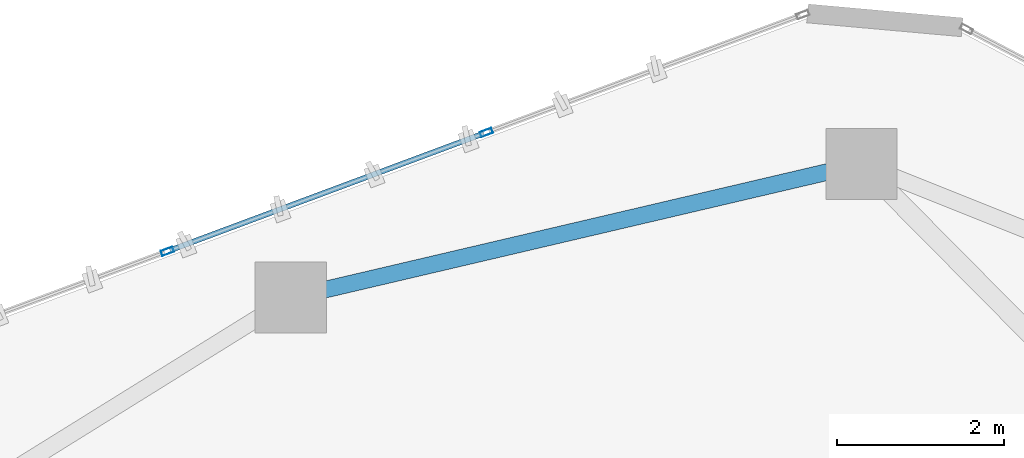
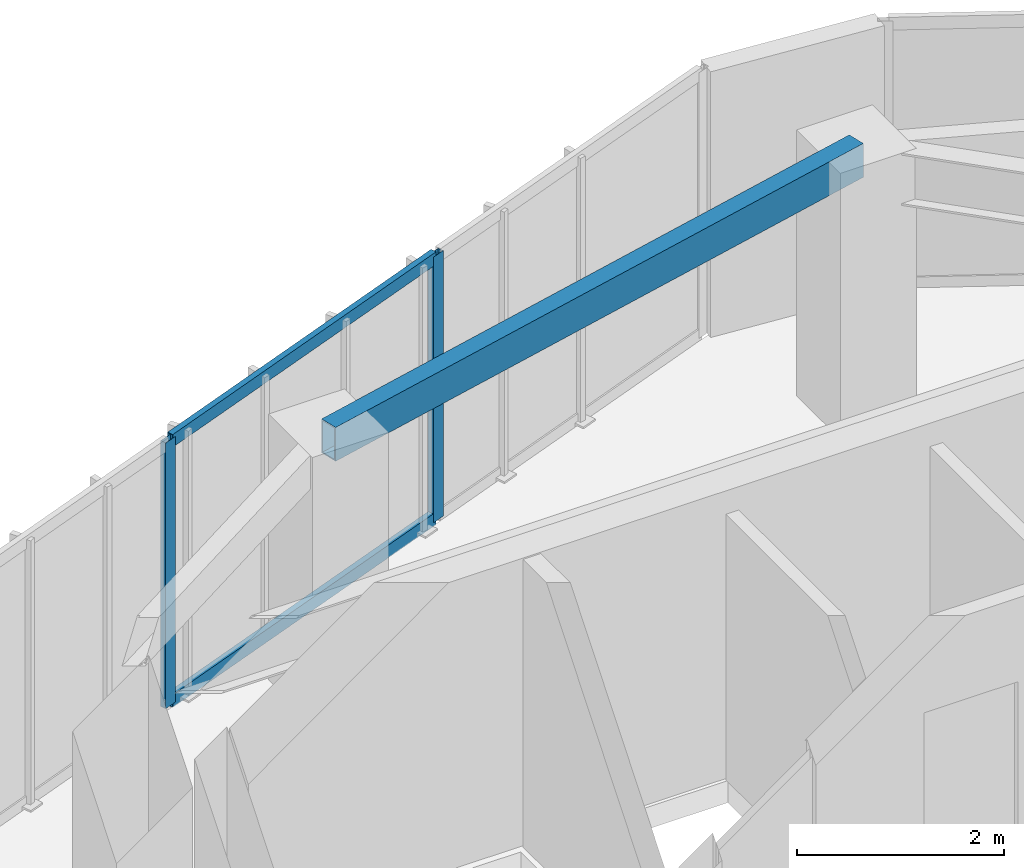
# One storey, part 11 of 20: 4 members, 1 beam, 1 element without a shape of its own.
"""IFC4 building model written with IfcOpenShell, lengths in metres."""

import ifcopenshell
import ifcopenshell.guid

model = None  # the IFC model being written
_history = None  # IfcOwnerHistory: only IFC2X3 demands one
_inside = {}  # id of a spatial element -> (the spatial element, [elements in it])
_under = {}  # id of a project, library or spatial element -> (it, [spatial elements below it])
_declared = {}  # id of a project -> (the project, [libraries it declares])
_typed = {}  # id of a type object -> (the type object, [elements of that type])
_made_of = {}  # id of a material, layer set ... -> (it, [elements and type objects made of it])


def new_model(schema):
    """Start an empty IFC model of exactly this schema.

    Asked for "IFC4X3", IfcOpenShell would pick the latest addendum, in which some entities
    have other attributes; the version numbers below select the first issue.
    IFC2X3 requires an IfcOwnerHistory on every rooted entity: one is made here for all.
    """
    global model, _history
    if schema == "IFC4X3":
        model = ifcopenshell.file(schema_version=(4, 3, 0, 0))
    else:
        model = ifcopenshell.file(schema=schema)
    _inside.clear()
    _under.clear()
    _declared.clear()
    _typed.clear()
    _made_of.clear()
    _history = None
    if model.schema == "IFC2X3":
        org = make("IfcOrganization", Name="unknown")
        user = make(
            "IfcPersonAndOrganization",
            ThePerson=make("IfcPerson", FamilyName="unknown"),
            TheOrganization=org,
        )
        app = make(
            "IfcApplication",
            ApplicationDeveloper=org,
            Version="unknown",
            ApplicationFullName="unknown",
            ApplicationIdentifier="unknown",
        )
        _history = make(
            "IfcOwnerHistory",
            OwningUser=user,
            OwningApplication=app,
            ChangeAction="ADDED",
            CreationDate=0,
        )
    return model


def make(cls, **values):
    """One entity of the class cls with the attributes given. An attribute that is None is left unset."""
    return model.create_entity(
        cls, **{name: value for name, value in values.items() if value is not None}
    )


def rooted(cls, **values):
    """An entity with a GlobalId (a new one), such as an element, a storey or a relation."""
    return make(cls, GlobalId=ifcopenshell.guid.new(), OwnerHistory=_history, **values)


def si_unit(unit_type, name, prefix=None):
    """IfcSIUnit, for example si_unit("LENGTHUNIT", "METRE", prefix="MILLI")."""
    return make("IfcSIUnit", UnitType=unit_type, Prefix=prefix, Name=name)


def assignment(units):
    """IfcUnitAssignment: the units of a project."""
    return None if units is None else make("IfcUnitAssignment", Units=units)


def point(xyz):
    """IfcCartesianPoint."""
    return None if xyz is None else make("IfcCartesianPoint", Coordinates=xyz)


def direction(xyz):
    """IfcDirection."""
    return None if xyz is None else make("IfcDirection", DirectionRatios=xyz)


def frame(location, z_axis=None, x_axis=None):
    """IfcAxis2Placement3D, a coordinate frame: its origin and axes. An axis left out is left unset."""
    return make(
        "IfcAxis2Placement3D",
        Location=point(location),
        Axis=direction(z_axis),
        RefDirection=direction(x_axis),
    )


def frame_2d(location, x_axis=None):
    """IfcAxis2Placement2D, a coordinate frame in the plane: its origin and x axis."""
    return make(
        "IfcAxis2Placement2D", Location=point(location), RefDirection=direction(x_axis)
    )


def origin():
    """The frame at (0, 0, 0) with its axes left unset."""
    return frame((0.0, 0.0, 0.0))


def origin_2d():
    """The frame at (0, 0) in the plane with its x axis left unset."""
    return frame_2d((0.0, 0.0))


def place(relative_to, where):
    """IfcLocalPlacement: puts the frame where relative to a parent placement (None: the world)."""
    return make(
        "IfcLocalPlacement", PlacementRelTo=relative_to, RelativePlacement=where
    )


def context(
    kind, dimensions, precision=None, world=None, true_north=None, identifier=None
):
    """IfcGeometricRepresentationContext, for example the 3D "Model" context."""
    return make(
        "IfcGeometricRepresentationContext",
        ContextIdentifier=identifier,
        ContextType=kind,
        CoordinateSpaceDimension=dimensions,
        Precision=precision,
        WorldCoordinateSystem=world,
        TrueNorth=true_north,
    )


def subcontext(parent, identifier, kind, view, scale=None):
    """IfcGeometricRepresentationSubContext, for example "Body" below "Model"."""
    return make(
        "IfcGeometricRepresentationSubContext",
        ContextIdentifier=identifier,
        ContextType=kind,
        ParentContext=parent,
        TargetScale=scale,
        TargetView=view,
    )


def project(units=None, contexts=None):
    """IfcProject with its units and contexts."""
    return rooted(
        "IfcProject",
        Name="project",
        RepresentationContexts=contexts,
        UnitsInContext=assignment(units),
    )


def spatial(cls, under=None, at=None, **own):
    """A site, building, storey or space (cls), placed at a placement, below another one or the project."""
    s = rooted(cls, ObjectPlacement=at, **own)
    if under is not None:
        _under.setdefault(under.id(), (under, []))[1].append(s)
    return s


def profile(cls, at=None, kind="AREA", **sizes):
    """A parametric profile (cls). Its sizes go by their IFC names, for example OverallWidth=200.0."""
    return make(cls, ProfileType=kind, Position=at, **sizes)


def hollow_rectangle(**sizes):
    """IfcRectangleHollowProfileDef."""
    return profile("IfcRectangleHollowProfileDef", **sizes)


def extrude(swept, where, along, depth):
    """IfcExtrudedAreaSolid: the profile swept, set in the frame where, extruded along a direction by depth."""
    return make(
        "IfcExtrudedAreaSolid",
        SweptArea=swept,
        Position=where,
        ExtrudedDirection=direction(along),
        Depth=depth,
    )


def shape(context_of_items, identifier, shape_type, items):
    """IfcShapeRepresentation: the items that make up one representation, for example the "Body"."""
    return make(
        "IfcShapeRepresentation",
        ContextOfItems=context_of_items,
        RepresentationIdentifier=identifier,
        RepresentationType=shape_type,
        Items=items,
    )


def source(mapping_origin, context_of_items, identifier, shape_type, items):
    """IfcRepresentationMap: a shape defined once, which mapped items show again and again."""
    return make(
        "IfcRepresentationMap",
        MappingOrigin=mapping_origin,
        MappedRepresentation=shape(context_of_items, identifier, shape_type, items),
    )


def transform(
    local_origin,
    x_axis=None,
    y_axis=None,
    z_axis=None,
    scale=None,
    scale2=None,
    scale3=None,
    uniform=True,
):
    """IfcCartesianTransformationOperator3D, or its non-uniform kind. x_axis, y_axis, z_axis: its Axis1, 2, 3."""
    if uniform:
        return make(
            "IfcCartesianTransformationOperator3D",
            Axis1=direction(x_axis),
            Axis2=direction(y_axis),
            LocalOrigin=point(local_origin),
            Scale=scale,
            Axis3=direction(z_axis),
        )
    return make(
        "IfcCartesianTransformationOperator3DnonUniform",
        Axis1=direction(x_axis),
        Axis2=direction(y_axis),
        LocalOrigin=point(local_origin),
        Scale=scale,
        Axis3=direction(z_axis),
        Scale2=scale2,
        Scale3=scale3,
    )


def mapped(mapping_source, mapping_target):
    """IfcMappedItem: shows the shape of a source again, moved by a transform."""
    return make(
        "IfcMappedItem", MappingSource=mapping_source, MappingTarget=mapping_target
    )


def material(Name=None, Category=None):
    """IfcMaterial."""
    return make("IfcMaterial", Name=Name, Category=Category)


def layer(
    of_material, thickness, ventilated=None, Name=None, Category=None, Priority=None
):
    """IfcMaterialLayer: one layer of a wall or slab, of a material (None: an air gap)."""
    return make(
        "IfcMaterialLayer",
        Material=of_material,
        LayerThickness=thickness,
        IsVentilated=ventilated,
        Name=Name,
        Category=Category,
        Priority=Priority,
    )


def layer_set(layers, Name=None):
    """IfcMaterialLayerSet."""
    return make("IfcMaterialLayerSet", MaterialLayers=layers, LayerSetName=Name)


def material_profile(
    of_material, cross_section, Name=None, Category=None, Priority=None
):
    """IfcMaterialProfile: a cross section and its material."""
    return make(
        "IfcMaterialProfile",
        Name=Name,
        Material=of_material,
        Profile=cross_section,
        Priority=Priority,
        Category=Category,
    )


def profile_set(profiles, Name=None, composite=None):
    """IfcMaterialProfileSet."""
    return make(
        "IfcMaterialProfileSet",
        Name=Name,
        MaterialProfiles=profiles,
        CompositeProfile=composite,
    )


def made_of(thing, what):
    """Note that an element or type object is made of a material, layer set ...; save() writes the relation."""
    if what is not None:
        _made_of.setdefault(what.id(), (what, []))[1].append(thing)
    return thing


def type_object(cls, material=None, **own):
    """A type object (cls), such as IfcWallType, which elements share."""
    return made_of(rooted(cls, **own), material)


def type_shapes(of_type, sources):
    """Give a type object the sources (RepresentationMaps) that its elements show as mapped items."""
    of_type.RepresentationMaps = sources


def element(
    cls,
    number,
    at=None,
    inside=None,
    cuts=None,
    type_object=None,
    material=None,
    context=None,
    identifier="Body",
    shape_type=None,
    held_by="IfcProductDefinitionShape",
    body=None,
    shapes=None,
    **own,
):
    """One element of the class cls, such as IfcWall. Its Tag is "e" and its number.

    at: its placement. inside: the storey or other place that contains it. cuts: it is an
    opening in that element (IfcRelVoidsElement). A single representation is given by context,
    identifier, shape_type and body (its items); several are given by shapes. held_by: the class
    of the entity that holds the representations. save() writes the other relations.
    """
    e = rooted(cls, Tag="e%d" % number, ObjectPlacement=at, **own)
    if body is not None:
        shapes = [shape(context, identifier, shape_type, body)]
    if shapes is not None:
        e.Representation = make(held_by, Representations=shapes)
    if inside is not None:
        _inside.setdefault(inside.id(), (inside, []))[1].append(e)
    if cuts is not None:
        rooted(
            "IfcRelVoidsElement", RelatingBuildingElement=cuts, RelatedOpeningElement=e
        )
    if type_object is not None:
        _typed.setdefault(type_object.id(), (type_object, []))[1].append(e)
    return made_of(e, material)


def aggregate(whole, parts):
    """IfcRelAggregates: a whole, such as a stair, and the parts it consists of."""
    return rooted("IfcRelAggregates", RelatingObject=whole, RelatedObjects=parts)


def save(model, path):
    """Write the relations noted so far, then the file.

    IfcRelAggregates (storeys below a building ...), IfcRelContainedInSpatialStructure (elements
    in a storey), IfcRelDefinesByType, IfcRelAssociatesMaterial and IfcRelDeclares: one each for
    every whole, place, type object, material and project.
    """
    for whole, parts in _under.values():
        aggregate(whole, parts)
    for where, things in _inside.values():
        rooted(
            "IfcRelContainedInSpatialStructure",
            RelatedElements=things,
            RelatingStructure=where,
        )
    for kind, things in _typed.values():
        rooted("IfcRelDefinesByType", RelatedObjects=things, RelatingType=kind)
    for what, things in _made_of.values():
        rooted("IfcRelAssociatesMaterial", RelatedObjects=things, RelatingMaterial=what)
    for by, libraries in _declared.values():
        rooted("IfcRelDeclares", RelatingContext=by, RelatedDefinitions=libraries)
    model.write(path)


model = new_model("IFC4")

# Units and contexts
model_context = context("Model", 3, precision=1e-05, world=origin(), true_north=direction((0.0, 1.0)))
body_context = subcontext(model_context, "Body", "Model", "MODEL_VIEW")
ifc_project = project(units=[si_unit("LENGTHUNIT", "METRE"), si_unit("AREAUNIT", "SQUARE_METRE"), si_unit("VOLUMEUNIT", "CUBIC_METRE"), si_unit("PLANEANGLEUNIT", "RADIAN"), si_unit("MASSUNIT", "GRAM", prefix="KILO")], contexts=[model_context])

# Site, building, storey
site_placement = place(None, origin())
site = spatial("IfcSite", under=ifc_project, at=site_placement, CompositionType="ELEMENT")
building_placement = place(site_placement, origin())
building = spatial("IfcBuilding", under=site, at=building_placement, Name="Talar Marvaseh", CompositionType="ELEMENT")
storey_placement = place(building_placement, frame((0.0, 0.0, 281.60009765625)))
storey = spatial("IfcBuildingStorey", under=building, at=storey_placement, Name="L75", CompositionType="ELEMENT", Elevation=281.60009765625)

# Beam
ifc_material_1 = material(Name="Steel S355", Category="steel")
ifc_material_profile_1 = material_profile(ifc_material_1, hollow_rectangle(XDim=0.199951171875, YDim=0.39990234375, WallThickness=0.013916015625, at=origin_2d()), Name="RHS400x200x14")
ifc_profile_set_1 = profile_set([ifc_material_profile_1], Name="Steel S355")
beam_type = type_object("IfcBeamType", Name="Zone 3 Perimeter Spandrel Beam RHS400x200x14", PredefinedType="SPANDREL", material=ifc_profile_set_1)
beam_placement = place(storey_placement, frame((22.364990234375, 39.4541015625, 2.93994140625), z_axis=(0.973655602276, 0.228023613157, 0.0), x_axis=(-0.228023613157, 0.973655602276, 0.0)))
element("IfcBeam", 1, at=beam_placement, inside=storey, type_object=beam_type, Name="L75 Zone 3 Perimeter Spandrel Beam RHS400x200x14", PredefinedType="SPANDREL", context=body_context, shape_type="SweptSolid", body=[
    extrude(hollow_rectangle(XDim=0.199951171875, YDim=0.39990234375, WallThickness=0.013916015625, at=origin_2d()), origin(), (0.0, 0.0, 1.0), 7.007568359375),
])

# Curtain wall, members
ifc_material_2 = material(Name="Architectural Aluminium", Category="aluminium")
ifc_layer = layer(ifc_material_2, 0.179931640625)
ifc_layer_set = layer_set([ifc_layer], Name="Architectural Aluminium")
curtain_wall_type = type_object("IfcCurtainWallType", Name="Unitised High-Wind Sky Curtain Wall Z4", PredefinedType="NOTDEFINED", material=ifc_layer_set)
curtain_wall_placement = place(storey_placement, origin())
curtain_wall = element("IfcCurtainWall", 2, at=curtain_wall_placement, inside=storey, type_object=curtain_wall_type, Name="L75 Unitised High-Wind Sky Curtain Wall Z4", PredefinedType="NOTDEFINED")
ifc_material_profile_2 = material_profile(ifc_material_2, hollow_rectangle(XDim=0.06494140625, YDim=0.14990234375, WallThickness=0.00390625, at=origin_2d()), Name="RHS150x65x4")
ifc_profile_set_2 = profile_set([ifc_material_profile_2], Name="Architectural Aluminium")
member_type_1 = type_object("IfcMemberType", Name="Unitised Curtain Wall Slim Mullion RHS150x65x4", PredefinedType="MULLION", material=ifc_profile_set_2)
shared_shape_1 = source(origin(), body_context, "Body", "SweptSolid", [
    extrude(hollow_rectangle(XDim=0.06494140625, YDim=0.14990234375, WallThickness=0.00390625, at=origin_2d()), origin(), (0.0, 0.0, 1.0), 3.139892578125),
])
type_shapes(member_type_1, [shared_shape_1])
member_1_placement = place(storey_placement, frame((20.890869140625, 40.008056640625, 0.0), z_axis=(0.0, 0.0, 1.0), x_axis=(-0.34909350612, 0.937087895549, 0.0)))
member_1 = element("IfcMember", 3, at=member_1_placement, type_object=member_type_1, Name="CW-Z4 mullion 2", PredefinedType="MULLION", context=body_context, shape_type="MappedRepresentation", body=[
    mapped(shared_shape_1, transform((0.0, 0.0, 0.0), x_axis=(1.0, 0.0, 0.0), y_axis=(0.0, 1.0, 0.0), z_axis=(0.0, 0.0, 1.0), scale=1.0)),
])
member_2_placement = place(storey_placement, frame((24.703369140625, 41.428466796875, 0.0), z_axis=(0.0, 0.0, 1.0), x_axis=(-0.34909350612, 0.937087895549, 0.0)))
member_2 = element("IfcMember", 4, at=member_2_placement, type_object=member_type_1, Name="CW-Z4 mullion 3", PredefinedType="MULLION", context=body_context, shape_type="MappedRepresentation", body=[
    mapped(shared_shape_1, transform((0.0, 0.0, 0.0), x_axis=(1.0, 0.0, 0.0), y_axis=(0.0, 1.0, 0.0), z_axis=(0.0, 0.0, 1.0), scale=1.0)),
])
ifc_material_profile_3 = material_profile(ifc_material_2, hollow_rectangle(XDim=0.06494140625, YDim=0.14990234375, WallThickness=0.00390625, at=origin_2d()), Name="RHS150x65x4")
ifc_profile_set_3 = profile_set([ifc_material_profile_3], Name="Architectural Aluminium")
member_type_2 = type_object("IfcMemberType", Name="Unitised Curtain Wall Slim Transom RHS150x65x4", PredefinedType="USERDEFINED", material=ifc_profile_set_3)
shared_shape_2 = source(origin(), body_context, "Body", "SweptSolid", [
    extrude(hollow_rectangle(XDim=0.06494140625, YDim=0.14990234375, WallThickness=0.00390625, at=origin_2d()), origin(), (0.0, 0.0, 1.0), 4.00390625),
])
type_shapes(member_type_2, [shared_shape_2])
member_3_placement = place(storey_placement, frame((20.921142578125, 40.01953125, 0.032470703125), z_axis=(0.937088764038, 0.349091174786, 0.0), x_axis=(-0.349091174786, 0.937088764038, 0.0)))
member_3 = element("IfcMember", 5, at=member_3_placement, type_object=member_type_2, Name="CW-Z4 transom 2.1", ObjectType="TRANSOM", PredefinedType="USERDEFINED", context=body_context, shape_type="MappedRepresentation", body=[
    mapped(shared_shape_2, transform((0.0, 0.0, 0.0), x_axis=(1.0, 0.0, 0.0), y_axis=(0.0, 1.0, 0.0), z_axis=(0.0, 0.0, 1.0), scale=1.0)),
])
member_4_placement = place(storey_placement, frame((20.921142578125, 40.01953125, 3.107421875), z_axis=(0.937088764038, 0.349091174786, 0.0), x_axis=(-0.349091174786, 0.937088764038, 0.0)))
member_4 = element("IfcMember", 6, at=member_4_placement, type_object=member_type_2, Name="CW-Z4 transom 2.2", ObjectType="TRANSOM", PredefinedType="USERDEFINED", context=body_context, shape_type="MappedRepresentation", body=[
    mapped(shared_shape_2, transform((0.0, 0.0, 0.0), x_axis=(1.0, 0.0, 0.0), y_axis=(0.0, 1.0, 0.0), z_axis=(0.0, 0.0, 1.0), scale=1.0)),
])
aggregate(curtain_wall, [member_1, member_2, member_3, member_4])

save(model, "model.ifc")
